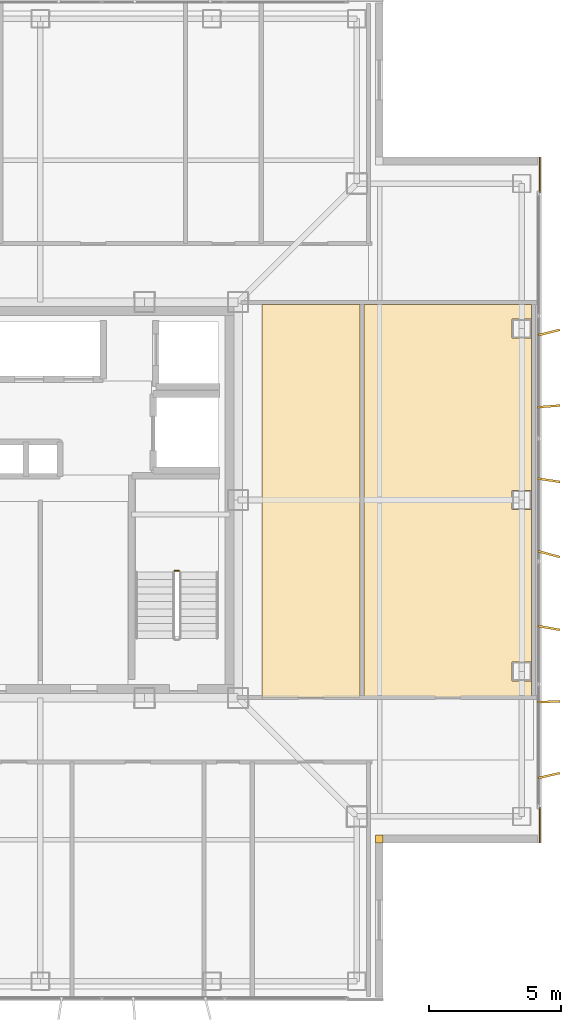
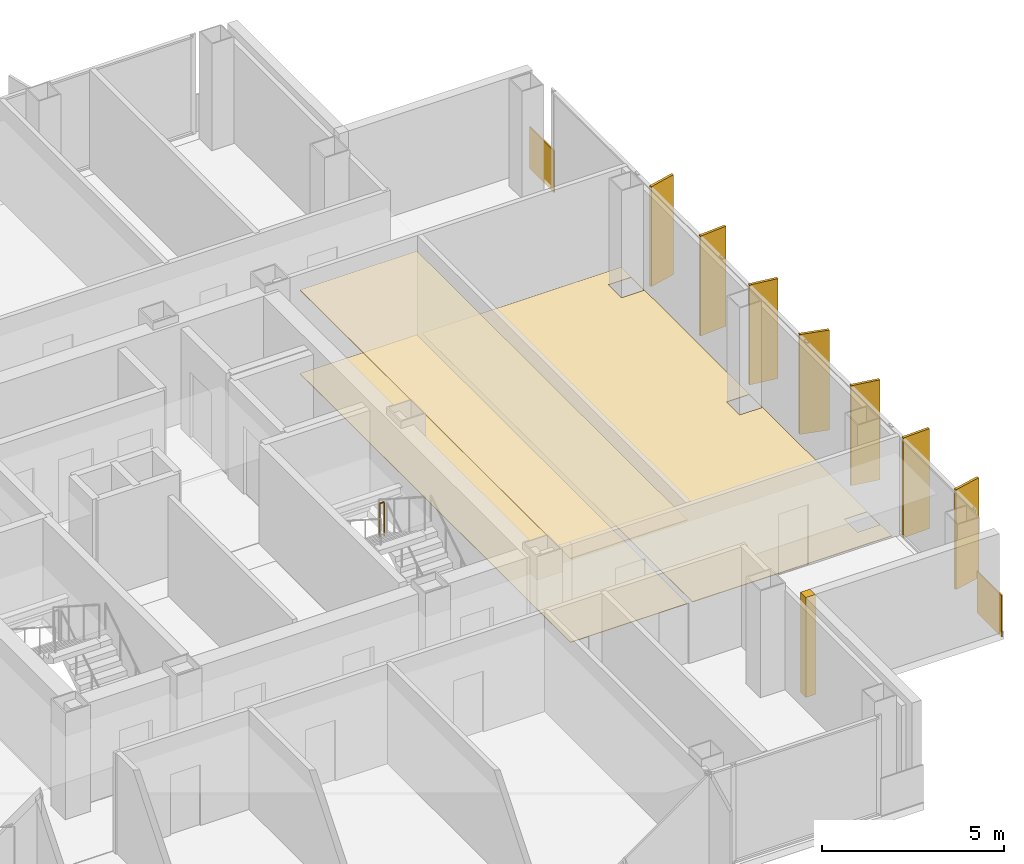
# One storey, part 14 of 15: 7 shading devices, 6 coverings, 1 railing.
"""IFC4 building model written with IfcOpenShell, lengths in metres."""

from ifc_helpers import new_model, si_unit, direction, frame, frame_2d, origin, origin_2d, place, context, subcontext, project, spatial, polyline, rectangle, circle, outline, extrude, material, layer, layer_set, type_object, element, save


model = new_model("IFC4")

# Units and contexts
model_context = context("Model", 3, precision=1e-05, world=origin(), true_north=direction((0.0, 1.0)))
body_context = subcontext(model_context, "Body", "Model", "MODEL_VIEW")
ifc_project = project(units=[si_unit("LENGTHUNIT", "METRE"), si_unit("AREAUNIT", "SQUARE_METRE"), si_unit("VOLUMEUNIT", "CUBIC_METRE"), si_unit("PLANEANGLEUNIT", "RADIAN"), si_unit("MASSUNIT", "GRAM", prefix="KILO")], contexts=[model_context])

# Site, building, storey
site_placement = place(None, origin())
site = spatial("IfcSite", under=ifc_project, at=site_placement, CompositionType="ELEMENT")
building_placement = place(site_placement, origin())
building = spatial("IfcBuilding", under=site, at=building_placement, Name="Trevonay Congress Spire", CompositionType="ELEMENT")
storey_placement = place(building_placement, frame((0.0, 0.0, 239.60009765625)))
storey = spatial("IfcBuildingStorey", under=building, at=storey_placement, Name="L62", CompositionType="ELEMENT", Elevation=239.60009765625)

# Coverings
ifc_material_1 = material(Name="Acoustic Mineral Fibre Board", Category="gypsum")
ifc_layer_1 = layer(ifc_material_1, 0.02490234375, Name="Acoustic Mineral Fibre Board")
ifc_layer_set_1 = layer_set([ifc_layer_1], Name="Acoustic Mineral Fibre Board")
covering_type_1 = type_object("IfcCoveringType", Name="COV-CEIL-ACOUSTIC", PredefinedType="CEILING", material=ifc_layer_set_1)
covering_1_placement = place(storey_placement, frame((0.0, 0.0, 2.809814453125)))
element("IfcCovering", 1, at=covering_1_placement, inside=storey, type_object=covering_type_1, Name="L62 Chancery Tea Pantry acoustic suspended ceiling", PredefinedType="CEILING", context=body_context, shape_type="SweptSolid", body=[
    extrude(outline(polyline([(8.39990234375, -7.47998046875), (12.1201171875, -7.47998046875), (12.1201171875, 7.419921875), (8.39990234375, 7.419921875), (8.39990234375, -7.47998046875)])), origin(), (0.0, 0.0, 1.0), 0.025146484375),
])
ifc_material_2 = material(Name="Polished Granite Floor Tile", Category="masonry")
ifc_layer_2 = layer(ifc_material_2, 0.02001953125, Name="Polished Granite Floor Tile")
ifc_layer_set_2 = layer_set([ifc_layer_2], Name="Polished Granite Floor Tile")
covering_type_2 = type_object("IfcCoveringType", Name="COV-FLOOR-STONE", PredefinedType="FLOORING", material=ifc_layer_set_2)
covering_2_placement = place(storey_placement, origin())
element("IfcCovering", 2, at=covering_2_placement, inside=storey, type_object=covering_type_2, Name="L62 Chancery Tea Pantry floor finish", PredefinedType="FLOORING", context=body_context, shape_type="SweptSolid", body=[
    extrude(outline(polyline([(8.39990234375, -7.47998046875), (12.1201171875, -7.47998046875), (12.1201171875, 7.419921875), (8.39990234375, 7.419921875), (8.39990234375, -7.47998046875)])), origin(), (0.0, 0.0, 1.0), 0.02001953125),
])
covering_3_placement = place(storey_placement, origin())
element("IfcCovering", 3, at=covering_3_placement, inside=storey, type_object=covering_type_2, Name="L62 Diplomatic Pouch Store floor finish", PredefinedType="FLOORING", context=body_context, shape_type="SweptSolid", body=[
    extrude(outline(polyline([(12.280029296875, 7.419921875), (18.6201171875, 7.419921875), (18.6201171875, -7.47998046875), (12.280029296875, -7.47998046875), (12.280029296875, 7.419921875)]), holes=[polyline([(17.889892578125, -6.860107421875), (18.610107421875, -6.860107421875), (18.610107421875, -6.139892578125), (17.889892578125, -6.139892578125), (17.889892578125, -6.860107421875)]), polyline([(17.889892578125, 0.360107421875), (17.889892578125, -0.360107421875), (18.610107421875, -0.360107421875), (18.610107421875, 0.360107421875), (17.889892578125, 0.360107421875)]), polyline([(17.889892578125, 6.860107421875), (17.889892578125, 6.139892578125), (18.610107421875, 6.139892578125), (18.610107421875, 6.860107421875), (17.889892578125, 6.860107421875)])]), origin(), (0.0, 0.0, 1.0), 0.02001953125),
])
ifc_material_3 = material(Name="Pale Anodised Aluminium EN AW-6063-T6", Category="aluminium")
ifc_layer_3 = layer(ifc_material_3, 0.0400390625, Name="Pale Anodised Aluminium EN AW-6063-T6")
ifc_layer_set_3 = layer_set([ifc_layer_3], Name="Pale Anodised Aluminium EN AW-6063-T6")
covering_type_3 = type_object("IfcCoveringType", Name="COV-SPANDREL-PALE-METAL", PredefinedType="CLADDING", material=ifc_layer_set_3)
covering_4_placement = place(storey_placement, origin())
element("IfcCovering", 4, at=covering_4_placement, inside=storey, type_object=covering_type_3, Name="L62 SE re-entrant notch corner closure trim", PredefinedType="CLADDING", context=body_context, shape_type="SweptSolid", body=[
    extrude(outline(polyline([(12.699951171875, -13.0), (13.0, -13.0), (13.0, -12.699951171875), (12.699951171875, -12.699951171875), (12.699951171875, -13.0)])), origin(), (0.0, 0.0, 1.0), 3.35986328125),
])
for number, where, z_axis, x_axis, name in (
    (5, (18.93994140625, -11.64990234375, -0.150146484375), (0.0, 0.0, 1.0), (0.0, -1.0, 0.0), "L62 SE corner pier spandrel cladding 1"),
    (6, (18.93994140625, 11.64990234375, -0.150146484375), (0.0, 0.0, 1.0), (0.0, 1.0, 0.0), "L62 NE corner pier spandrel cladding 1"),
):
    element("IfcCovering", number, at=place(storey_placement, frame(where, z_axis=z_axis, x_axis=x_axis)), inside=storey, type_object=covering_type_3, Name=name, PredefinedType="CLADDING", context=body_context, shape_type="SweptSolid", body=[
        extrude(rectangle(XDim=1.35009765625, YDim=0.0400390625, at=frame_2d((0.675048828125, 0.0))), origin(), (0.0, 0.0, 1.0), 1.400146484375),
    ])

# Railing
railing_type = type_object("IfcRailingType", Name="RAL-STAIR-GUARD-110", PredefinedType="GUARDRAIL", material=ifc_material_3)
railing_placement = place(storey_placement, frame((5.25, -2.679931640625, 1.7998046875)))
element("IfcRailing", 7, at=railing_placement, inside=storey, type_object=railing_type, Name="L62 ST-2 stair guard 2", PredefinedType="GUARDRAIL", context=body_context, shape_type="SweptSolid", body=[
    extrude(circle(Radius=0.02392578125, at=origin_2d()), frame((0.0, 0.0, 1.1259765625), z_axis=(-1.0, 0.0, 0.0), x_axis=(0.0, -1.0, 0.0)), (0.0, 0.0, 1.0), 0.14990234375),
    extrude(circle(Radius=0.02099609375, at=origin_2d()), origin(), (0.0, 0.0, 1.0), 1.101806640625),
    extrude(circle(Radius=0.02099609375, at=origin_2d()), frame((-0.14990234375, 0.0, 0.0)), (0.0, 0.0, 1.0), 1.101806640625),
])

# Shading devices
shading_device_type = type_object("IfcShadingDeviceType", Name="SHD-FIN-Z4-PALE-METAL", PredefinedType="USERDEFINED", material=ifc_material_3)
for number, where, z_axis, x_axis, name in (
    (8, (19.280029296875, -10.449951171875, 0.0), (0.0, 0.0, 1.0), (-0.224780991261, 0.97440931131, 0.0), "L62 E vertical pale-metal solar fin 1"),
    (9, (19.280029296875, -7.64990234375, 0.0), (0.0, 0.0, 1.0), (-0.039085416795, 0.999235873152, 0.0), "L62 E vertical pale-metal solar fin 2"),
    (10, (19.280029296875, -4.85009765625, 0.0), (0.0, 0.0, 1.0), (0.17708474032, 0.984195607969, 0.0), "L62 E vertical pale-metal solar fin 3"),
    (11, (19.280029296875, -2.050048828125, 0.0), (0.0, 0.0, 1.0), (0.258144638645, 0.966106280664, 0.0), "L62 E vertical pale-metal solar fin 4"),
    (12, (19.280029296875, 0.75, 0.0), (0.0, 0.0, 1.0), (0.146946275799, 0.989144474801, 0.0), "L62 E vertical pale-metal solar fin 5"),
    (13, (19.280029296875, 3.550048828125, 0.0), (0.0, 0.0, 1.0), (-0.077067060513, 0.997025911491, 0.0), "L62 E vertical pale-metal solar fin 6"),
    (14, (19.280029296875, 6.35009765625, 0.0), (0.0, 0.0, 1.0), (-0.241244442494, 0.970464383152, 0.0), "L62 E vertical pale-metal solar fin 7"),
):
    element("IfcShadingDevice", number, at=place(storey_placement, frame(where, z_axis=z_axis, x_axis=x_axis)), inside=storey, type_object=shading_device_type, Name=name, ObjectType="SOLAR FIN", PredefinedType="USERDEFINED", context=body_context, shape_type="SweptSolid", body=[
        extrude(rectangle(XDim=0.080078125, YDim=0.85009765625, at=origin_2d()), origin(), (0.0, 0.0, 1.0), 3.360107421875),
    ])

save(model, "model.ifc")
